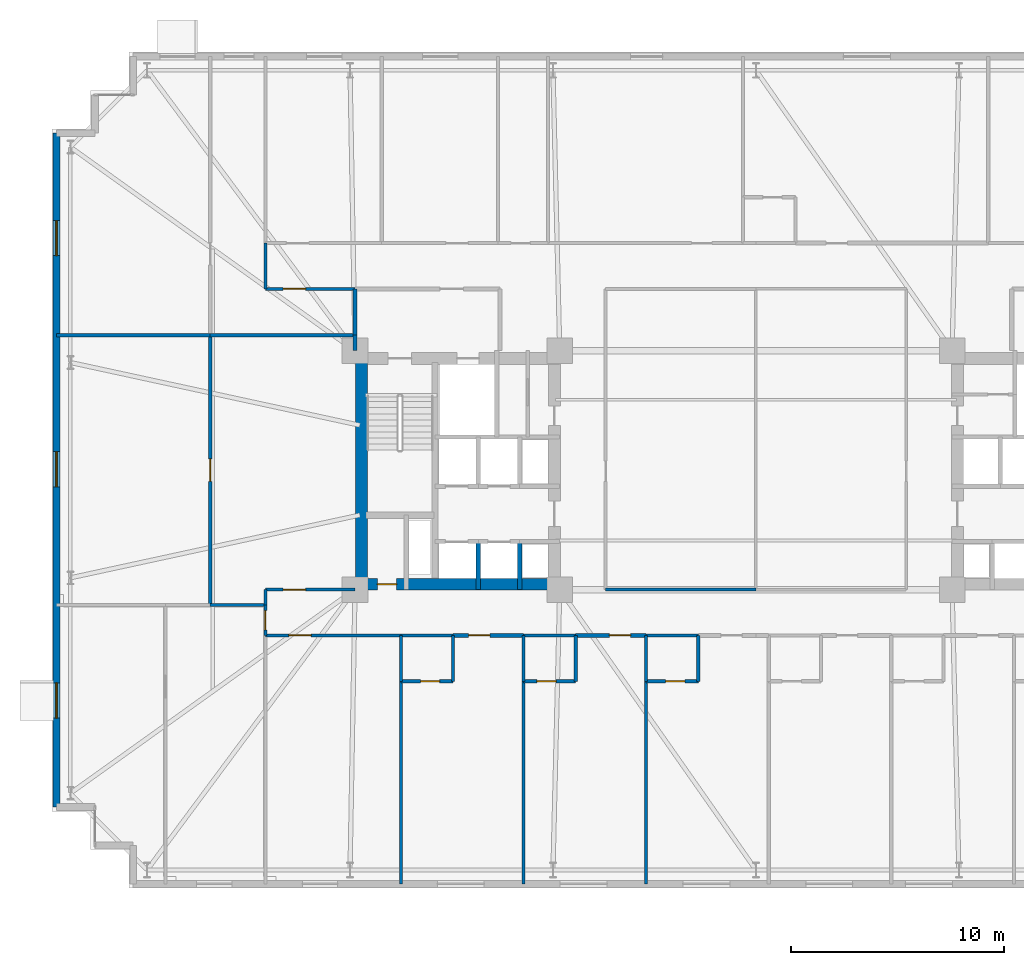
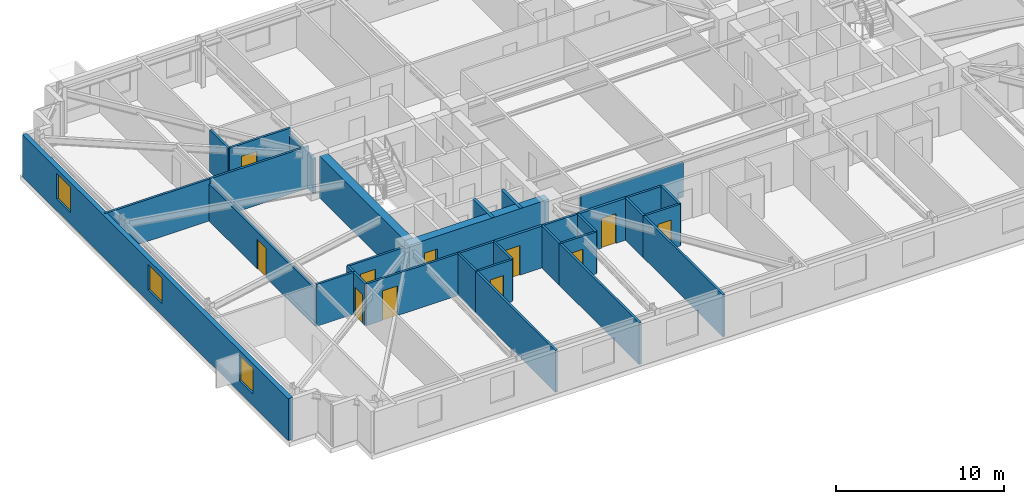
# One storey, part 14 of 20: 35 walls, 11 doors, 3 windows, 14 openings.
"""IFC4 building model written with IfcOpenShell, lengths in metres."""

import ifcopenshell
import ifcopenshell.guid

model = None  # the IFC model being written
_history = None  # IfcOwnerHistory: only IFC2X3 demands one
_inside = {}  # id of a spatial element -> (the spatial element, [elements in it])
_under = {}  # id of a project, library or spatial element -> (it, [spatial elements below it])
_declared = {}  # id of a project -> (the project, [libraries it declares])
_typed = {}  # id of a type object -> (the type object, [elements of that type])
_made_of = {}  # id of a material, layer set ... -> (it, [elements and type objects made of it])


def new_model(schema):
    """Start an empty IFC model of exactly this schema.

    Asked for "IFC4X3", IfcOpenShell would pick the latest addendum, in which some entities
    have other attributes; the version numbers below select the first issue.
    IFC2X3 requires an IfcOwnerHistory on every rooted entity: one is made here for all.
    """
    global model, _history
    if schema == "IFC4X3":
        model = ifcopenshell.file(schema_version=(4, 3, 0, 0))
    else:
        model = ifcopenshell.file(schema=schema)
    _inside.clear()
    _under.clear()
    _declared.clear()
    _typed.clear()
    _made_of.clear()
    _history = None
    if model.schema == "IFC2X3":
        org = make("IfcOrganization", Name="unknown")
        user = make(
            "IfcPersonAndOrganization",
            ThePerson=make("IfcPerson", FamilyName="unknown"),
            TheOrganization=org,
        )
        app = make(
            "IfcApplication",
            ApplicationDeveloper=org,
            Version="unknown",
            ApplicationFullName="unknown",
            ApplicationIdentifier="unknown",
        )
        _history = make(
            "IfcOwnerHistory",
            OwningUser=user,
            OwningApplication=app,
            ChangeAction="ADDED",
            CreationDate=0,
        )
    return model


def make(cls, **values):
    """One entity of the class cls with the attributes given. An attribute that is None is left unset."""
    return model.create_entity(
        cls, **{name: value for name, value in values.items() if value is not None}
    )


def rooted(cls, **values):
    """An entity with a GlobalId (a new one), such as an element, a storey or a relation."""
    return make(cls, GlobalId=ifcopenshell.guid.new(), OwnerHistory=_history, **values)


def si_unit(unit_type, name, prefix=None):
    """IfcSIUnit, for example si_unit("LENGTHUNIT", "METRE", prefix="MILLI")."""
    return make("IfcSIUnit", UnitType=unit_type, Prefix=prefix, Name=name)


def assignment(units):
    """IfcUnitAssignment: the units of a project."""
    return None if units is None else make("IfcUnitAssignment", Units=units)


def point(xyz):
    """IfcCartesianPoint."""
    return None if xyz is None else make("IfcCartesianPoint", Coordinates=xyz)


def direction(xyz):
    """IfcDirection."""
    return None if xyz is None else make("IfcDirection", DirectionRatios=xyz)


def frame(location, z_axis=None, x_axis=None):
    """IfcAxis2Placement3D, a coordinate frame: its origin and axes. An axis left out is left unset."""
    return make(
        "IfcAxis2Placement3D",
        Location=point(location),
        Axis=direction(z_axis),
        RefDirection=direction(x_axis),
    )


def frame_2d(location, x_axis=None):
    """IfcAxis2Placement2D, a coordinate frame in the plane: its origin and x axis."""
    return make(
        "IfcAxis2Placement2D", Location=point(location), RefDirection=direction(x_axis)
    )


def origin():
    """The frame at (0, 0, 0) with its axes left unset."""
    return frame((0.0, 0.0, 0.0))


def place(relative_to, where):
    """IfcLocalPlacement: puts the frame where relative to a parent placement (None: the world)."""
    return make(
        "IfcLocalPlacement", PlacementRelTo=relative_to, RelativePlacement=where
    )


def context(
    kind, dimensions, precision=None, world=None, true_north=None, identifier=None
):
    """IfcGeometricRepresentationContext, for example the 3D "Model" context."""
    return make(
        "IfcGeometricRepresentationContext",
        ContextIdentifier=identifier,
        ContextType=kind,
        CoordinateSpaceDimension=dimensions,
        Precision=precision,
        WorldCoordinateSystem=world,
        TrueNorth=true_north,
    )


def subcontext(parent, identifier, kind, view, scale=None):
    """IfcGeometricRepresentationSubContext, for example "Body" below "Model"."""
    return make(
        "IfcGeometricRepresentationSubContext",
        ContextIdentifier=identifier,
        ContextType=kind,
        ParentContext=parent,
        TargetScale=scale,
        TargetView=view,
    )


def project(units=None, contexts=None):
    """IfcProject with its units and contexts."""
    return rooted(
        "IfcProject",
        Name="project",
        RepresentationContexts=contexts,
        UnitsInContext=assignment(units),
    )


def spatial(cls, under=None, at=None, **own):
    """A site, building, storey or space (cls), placed at a placement, below another one or the project."""
    s = rooted(cls, ObjectPlacement=at, **own)
    if under is not None:
        _under.setdefault(under.id(), (under, []))[1].append(s)
    return s


def profile(cls, at=None, kind="AREA", **sizes):
    """A parametric profile (cls). Its sizes go by their IFC names, for example OverallWidth=200.0."""
    return make(cls, ProfileType=kind, Position=at, **sizes)


def rectangle(**sizes):
    """IfcRectangleProfileDef."""
    return profile("IfcRectangleProfileDef", **sizes)


def extrude(swept, where, along, depth):
    """IfcExtrudedAreaSolid: the profile swept, set in the frame where, extruded along a direction by depth."""
    return make(
        "IfcExtrudedAreaSolid",
        SweptArea=swept,
        Position=where,
        ExtrudedDirection=direction(along),
        Depth=depth,
    )


def shape(context_of_items, identifier, shape_type, items):
    """IfcShapeRepresentation: the items that make up one representation, for example the "Body"."""
    return make(
        "IfcShapeRepresentation",
        ContextOfItems=context_of_items,
        RepresentationIdentifier=identifier,
        RepresentationType=shape_type,
        Items=items,
    )


def material(Name=None, Category=None):
    """IfcMaterial."""
    return make("IfcMaterial", Name=Name, Category=Category)


def layer(
    of_material, thickness, ventilated=None, Name=None, Category=None, Priority=None
):
    """IfcMaterialLayer: one layer of a wall or slab, of a material (None: an air gap)."""
    return make(
        "IfcMaterialLayer",
        Material=of_material,
        LayerThickness=thickness,
        IsVentilated=ventilated,
        Name=Name,
        Category=Category,
        Priority=Priority,
    )


def layer_set(layers, Name=None):
    """IfcMaterialLayerSet."""
    return make("IfcMaterialLayerSet", MaterialLayers=layers, LayerSetName=Name)


def made_of(thing, what):
    """Note that an element or type object is made of a material, layer set ...; save() writes the relation."""
    if what is not None:
        _made_of.setdefault(what.id(), (what, []))[1].append(thing)
    return thing


def type_object(cls, material=None, **own):
    """A type object (cls), such as IfcWallType, which elements share."""
    return made_of(rooted(cls, **own), material)


def element(
    cls,
    number,
    at=None,
    inside=None,
    cuts=None,
    type_object=None,
    material=None,
    context=None,
    identifier="Body",
    shape_type=None,
    held_by="IfcProductDefinitionShape",
    body=None,
    shapes=None,
    **own,
):
    """One element of the class cls, such as IfcWall. Its Tag is "e" and its number.

    at: its placement. inside: the storey or other place that contains it. cuts: it is an
    opening in that element (IfcRelVoidsElement). A single representation is given by context,
    identifier, shape_type and body (its items); several are given by shapes. held_by: the class
    of the entity that holds the representations. save() writes the other relations.
    """
    e = rooted(cls, Tag="e%d" % number, ObjectPlacement=at, **own)
    if body is not None:
        shapes = [shape(context, identifier, shape_type, body)]
    if shapes is not None:
        e.Representation = make(held_by, Representations=shapes)
    if inside is not None:
        _inside.setdefault(inside.id(), (inside, []))[1].append(e)
    if cuts is not None:
        rooted(
            "IfcRelVoidsElement", RelatingBuildingElement=cuts, RelatedOpeningElement=e
        )
    if type_object is not None:
        _typed.setdefault(type_object.id(), (type_object, []))[1].append(e)
    return made_of(e, material)


def fill(opening, filler):
    """IfcRelFillsElement: the door or window that sits in an opening."""
    return rooted(
        "IfcRelFillsElement",
        RelatingOpeningElement=opening,
        RelatedBuildingElement=filler,
    )


def aggregate(whole, parts):
    """IfcRelAggregates: a whole, such as a stair, and the parts it consists of."""
    return rooted("IfcRelAggregates", RelatingObject=whole, RelatedObjects=parts)


def save(model, path):
    """Write the relations noted so far, then the file.

    IfcRelAggregates (storeys below a building ...), IfcRelContainedInSpatialStructure (elements
    in a storey), IfcRelDefinesByType, IfcRelAssociatesMaterial and IfcRelDeclares: one each for
    every whole, place, type object, material and project.
    """
    for whole, parts in _under.values():
        aggregate(whole, parts)
    for where, things in _inside.values():
        rooted(
            "IfcRelContainedInSpatialStructure",
            RelatedElements=things,
            RelatingStructure=where,
        )
    for kind, things in _typed.values():
        rooted("IfcRelDefinesByType", RelatedObjects=things, RelatingType=kind)
    for what, things in _made_of.values():
        rooted("IfcRelAssociatesMaterial", RelatedObjects=things, RelatingMaterial=what)
    for by, libraries in _declared.values():
        rooted("IfcRelDeclares", RelatingContext=by, RelatedDefinitions=libraries)
    model.write(path)


model = new_model("IFC4")

# Units and contexts
model_context = context("Model", 3, precision=1e-05, world=origin(), true_north=direction((0.0, 1.0)))
body_context = subcontext(model_context, "Body", "Model", "MODEL_VIEW")
ifc_project = project(units=[si_unit("LENGTHUNIT", "METRE"), si_unit("AREAUNIT", "SQUARE_METRE"), si_unit("VOLUMEUNIT", "CUBIC_METRE"), si_unit("PLANEANGLEUNIT", "RADIAN"), si_unit("MASSUNIT", "GRAM", prefix="KILO")], contexts=[model_context])

# Site, building, storey
site_placement = place(None, origin())
site = spatial("IfcSite", under=ifc_project, at=site_placement, CompositionType="ELEMENT")
building_placement = place(site_placement, origin())
building = spatial("IfcBuilding", under=site, at=building_placement, Name="Qobustan Lattice House", CompositionType="ELEMENT")
storey_placement = place(building_placement, frame((0.0, 0.0, 67.199951171875)))
storey = spatial("IfcBuildingStorey", under=building, at=storey_placement, Name="L18", CompositionType="ELEMENT", Elevation=67.199951171875)

# Wall, opening, door
ifc_material_1 = material(Name="Concrete C60/75", Category="concrete")
ifc_layer_1 = layer(ifc_material_1, 0.56005859375)
ifc_layer_set_1 = layer_set([ifc_layer_1], Name="Concrete C60/75")
wall_type_1 = type_object("IfcWallType", Name="WAL-CORE-600", PredefinedType="SHEAR", material=ifc_layer_set_1)
wall_1_placement = place(storey_placement, frame((-18.800048828125, -5.35009765625, 0.0), z_axis=(0.0, 0.0, 1.0), x_axis=(1.0, 0.0, 0.0)))
wall_1 = element("IfcWall", 1, at=wall_1_placement, inside=storey, type_object=wall_type_1, Name="L18 split-core shear wall CW-S", PredefinedType="SHEAR", context=body_context, shape_type="SweptSolid", body=[
    extrude(rectangle(XDim=9.60009765625, YDim=0.56005859375, at=frame_2d((4.800048828125, 0.0))), origin(), (0.0, 0.0, 1.0), 3.03515625),
])
opening_1_placement = place(wall_1_placement, frame((1.050048828125, 0.0, 0.0)))
opening_1 = element("IfcOpeningElement", 2, at=opening_1_placement, cuts=wall_1, Name="Opening RD-01", PredefinedType="OPENING", context=body_context, shape_type="SweptSolid", body=[
    extrude(rectangle(XDim=0.89990234375, YDim=2.10009765625, at=frame_2d((0.449951171875, 1.050048828125))), frame((0.0, 0.2900390625, 0.0), z_axis=(0.0, -1.0, 0.0), x_axis=(1.0, 0.0, 0.0)), (0.0, 0.0, 1.0), 0.580078125),
])
ifc_material_2 = material(Name="Persian walnut timber and steel frame door", Category="steel")
door_type_1 = type_object("IfcDoorType", Name="DOR-RISER-FD-900x2100", OperationType="NOTDEFINED", PredefinedType="DOOR", material=ifc_material_2)
door_1_placement = place(opening_1_placement, origin())
door_1 = element("IfcDoor", 3, at=door_1_placement, inside=storey, type_object=door_type_1, Name="L18 core service riser access door W", OperationType="SINGLE_SWING_LEFT", OverallHeight=2.10009765625, OverallWidth=0.89990234375, PredefinedType="DOOR", context=body_context, shape_type="SweptSolid", body=[
    extrude(rectangle(XDim=0.89990234375, YDim=2.10009765625, at=frame_2d((0.449951171875, 1.050048828125))), frame((0.0, 0.02490234375, 0.0), z_axis=(0.0, -1.0, 0.0), x_axis=(1.0, 0.0, 0.0)), (0.0, 0.0, 1.0), 0.050048828125),
])
fill(opening_1, door_1)

# Wall
wall_2_placement = place(storey_placement, frame((-18.489990234375, -5.050048828125, 0.0), z_axis=(0.0, 0.0, 1.0), x_axis=(0.0, 1.0, 0.0)))
element("IfcWall", 4, at=wall_2_placement, inside=storey, type_object=wall_type_1, Name="L18 split-core shear wall CW-W", PredefinedType="SHEAR", context=body_context, shape_type="SweptSolid", body=[
    extrude(rectangle(XDim=10.10009765625, YDim=0.56005859375, at=frame_2d((5.050048828125, 0.0))), origin(), (0.0, 0.0, 1.0), 3.03515625),
])

# Wall, openings, windows
ifc_material_3 = material(Name="Precast concrete C40/50", Category="concrete")
ifc_layer_2 = layer(ifc_material_3, 0.320068359375)
ifc_layer_set_2 = layer_set([ifc_layer_2], Name="Precast concrete C40/50")
wall_type_2 = type_object("IfcWallType", Name="WAL-EXT-STONE-320", PredefinedType="SOLIDWALL", material=ifc_layer_set_2)
wall_3_placement = place(storey_placement, frame((-32.800048828125, -15.800048828125, 0.0), z_axis=(0.0, 0.0, 1.0), x_axis=(0.0, 1.0, 0.0)))
wall_3 = element("IfcWall", 5, at=wall_3_placement, inside=storey, type_object=wall_type_2, Name="L18 exterior limestone-clad wall 5", PredefinedType="SOLIDWALL", context=body_context, shape_type="SweptSolid", body=[
    extrude(rectangle(XDim=31.60009765625, YDim=0.320068359375, at=frame_2d((15.800048828125, 0.0))), origin(), (0.0, 0.0, 1.0), 3.03515625),
])
opening_2_placement = place(wall_3_placement, frame((4.175048828125, 0.0, 0.85009765625)))
opening_2 = element("IfcOpeningElement", 6, at=opening_2_placement, cuts=wall_3, Name="Opening WN-09", PredefinedType="OPENING", context=body_context, shape_type="SweptSolid", body=[
    extrude(rectangle(XDim=1.64990234375, YDim=1.85009765625, at=frame_2d((0.824951171875, 0.925048828125))), frame((0.0, 0.169921875, 0.0), z_axis=(0.0, -1.0, 0.0), x_axis=(1.0, 0.0, 0.0)), (0.0, 0.0, 1.0), 0.340087890625),
])
opening_3_placement = place(wall_3_placement, frame((15.014892578125, 0.0, 0.85009765625)))
opening_3 = element("IfcOpeningElement", 7, at=opening_3_placement, cuts=wall_3, Name="Opening WN-09", PredefinedType="OPENING", context=body_context, shape_type="SweptSolid", body=[
    extrude(rectangle(XDim=1.64990234375, YDim=1.85009765625, at=frame_2d((0.824951171875, 0.925048828125))), frame((0.0, 0.169921875, 0.0), z_axis=(0.0, -1.0, 0.0), x_axis=(1.0, 0.0, 0.0)), (0.0, 0.0, 1.0), 0.340087890625),
])
opening_4_placement = place(wall_3_placement, frame((25.85498046875, 0.0, 0.85009765625)))
opening_4 = element("IfcOpeningElement", 8, at=opening_4_placement, cuts=wall_3, Name="Opening WN-09", PredefinedType="OPENING", context=body_context, shape_type="SweptSolid", body=[
    extrude(rectangle(XDim=1.64990234375, YDim=1.85009765625, at=frame_2d((0.824951171875, 0.925048828125))), frame((0.0, 0.169921875, 0.0), z_axis=(0.0, -1.0, 0.0), x_axis=(1.0, 0.0, 0.0)), (0.0, 0.0, 1.0), 0.340087890625),
])
ifc_material_4 = material(Name="Double-glazed low-E aluminium window", Category="aluminium")
window_type = type_object("IfcWindowType", Name="WIN-STU-1650x1850", PartitioningType="SINGLE_PANEL", PredefinedType="WINDOW", material=ifc_material_4)
window_1_placement = place(opening_2_placement, origin())
window_1 = element("IfcWindow", 9, at=window_1_placement, inside=storey, type_object=window_type, Name="L18 Focus study room W1A window", OverallHeight=1.85009765625, OverallWidth=1.64990234375, PartitioningType="SINGLE_PANEL", PredefinedType="WINDOW", context=body_context, shape_type="SweptSolid", body=[
    extrude(rectangle(XDim=1.64990234375, YDim=1.85009765625, at=frame_2d((0.824951171875, 0.925048828125))), frame((0.0, 0.030029296875, 0.0), z_axis=(0.0, -1.0, 0.0), x_axis=(1.0, 0.0, 0.0)), (0.0, 0.0, 1.0), 0.06005859375),
])
fill(opening_2, window_1)
window_2_placement = place(opening_3_placement, origin())
window_2 = element("IfcWindow", 10, at=window_2_placement, inside=storey, type_object=window_type, Name="L18 Focus study room W2A window", OverallHeight=1.85009765625, OverallWidth=1.64990234375, PartitioningType="SINGLE_PANEL", PredefinedType="WINDOW", context=body_context, shape_type="SweptSolid", body=[
    extrude(rectangle(XDim=1.64990234375, YDim=1.85009765625, at=frame_2d((0.824951171875, 0.925048828125))), frame((0.0, 0.030029296875, 0.0), z_axis=(0.0, -1.0, 0.0), x_axis=(1.0, 0.0, 0.0)), (0.0, 0.0, 1.0), 0.06005859375),
])
fill(opening_3, window_2)
window_3_placement = place(opening_4_placement, origin())
window_3 = element("IfcWindow", 11, at=window_3_placement, inside=storey, type_object=window_type, Name="L18 Focus study room W3A window", OverallHeight=1.85009765625, OverallWidth=1.64990234375, PartitioningType="SINGLE_PANEL", PredefinedType="WINDOW", context=body_context, shape_type="SweptSolid", body=[
    extrude(rectangle(XDim=1.64990234375, YDim=1.85009765625, at=frame_2d((0.824951171875, 0.925048828125))), frame((0.0, 0.030029296875, 0.0), z_axis=(0.0, -1.0, 0.0), x_axis=(1.0, 0.0, 0.0)), (0.0, 0.0, 1.0), 0.06005859375),
])
fill(opening_4, window_3)

# Wall, opening, door
ifc_material_5 = material(Name="Gypsum fireboard acoustic partition", Category="gypsum")
ifc_layer_3 = layer(ifc_material_5, 0.179931640625)
ifc_layer_set_3 = layer_set([ifc_layer_3], Name="Gypsum fireboard acoustic partition")
wall_type_3 = type_object("IfcWallType", Name="WAL-FIRE-180", PredefinedType="PARTITIONING", material=ifc_layer_set_3)
wall_4_placement = place(storey_placement, frame((-10.89990234375, -7.75, 0.0), z_axis=(0.0, 0.0, 1.0), x_axis=(-1.0, 0.0, 0.0)))
wall_4 = element("IfcWall", 12, at=wall_4_placement, inside=storey, type_object=wall_type_3, Name="L18 interior partition 58", PredefinedType="PARTITIONING", context=body_context, shape_type="SweptSolid", body=[
    extrude(rectangle(XDim=3.300048828125, YDim=0.179931640625, at=frame_2d((1.64990234375, 0.0))), origin(), (0.0, 0.0, 1.0), 3.03515625),
])
opening_5_placement = place(wall_4_placement, frame((1.577392578125, 0.0, 0.0)))
opening_5 = element("IfcOpeningElement", 13, at=opening_5_placement, cuts=wall_4, Name="Opening FD-02", PredefinedType="OPENING", context=body_context, shape_type="SweptSolid", body=[
    extrude(rectangle(XDim=1.0, YDim=2.14990234375, at=frame_2d((0.5, 1.074951171875))), frame((0.0, 0.099853515625, 0.0), z_axis=(0.0, -1.0, 0.0), x_axis=(1.0, 0.0, 0.0)), (0.0, 0.0, 1.0), 0.199951171875),
])
ifc_material_6 = material(Name="Persian walnut timber and steel frame door", Category="steel")
door_type_2 = type_object("IfcDoorType", Name="DOR-UNIT-FD-1000x2150", OperationType="NOTDEFINED", PredefinedType="DOOR", material=ifc_material_6)
door_2_placement = place(opening_5_placement, origin())
door_2 = element("IfcDoor", 14, at=door_2_placement, inside=storey, type_object=door_type_2, Name="L18 South-west floor corridor to Kitchenette and studio apartment L18-S2 door", OperationType="SINGLE_SWING_LEFT", OverallHeight=2.14990234375, OverallWidth=1.0, PredefinedType="DOOR", context=body_context, shape_type="SweptSolid", body=[
    extrude(rectangle(XDim=1.0, YDim=2.14990234375, at=frame_2d((0.5, 1.074951171875))), frame((0.0, 0.02490234375, 0.0), z_axis=(0.0, -1.0, 0.0), x_axis=(1.0, 0.0, 0.0)), (0.0, 0.0, 1.0), 0.050048828125),
])
fill(opening_5, door_2)

wall_5_placement = place(storey_placement, frame((-5.14990234375, -7.75, 0.0), z_axis=(0.0, 0.0, 1.0), x_axis=(-1.0, 0.0, 0.0)))
wall_5 = element("IfcWall", 15, at=wall_5_placement, inside=storey, type_object=wall_type_3, Name="L18 interior partition 60", PredefinedType="PARTITIONING", context=body_context, shape_type="SweptSolid", body=[
    extrude(rectangle(XDim=3.300048828125, YDim=0.179931640625, at=frame_2d((1.64990234375, 0.0))), origin(), (0.0, 0.0, 1.0), 3.03515625),
])
opening_6_placement = place(wall_5_placement, frame((0.722412109375, 0.0, 0.0)))
opening_6 = element("IfcOpeningElement", 16, at=opening_6_placement, cuts=wall_5, Name="Opening FD-02", PredefinedType="OPENING", context=body_context, shape_type="SweptSolid", body=[
    extrude(rectangle(XDim=1.0, YDim=2.14990234375, at=frame_2d((0.5, 1.074951171875))), frame((0.0, 0.099853515625, 0.0), z_axis=(0.0, -1.0, 0.0), x_axis=(1.0, 0.0, 0.0)), (0.0, 0.0, 1.0), 0.199951171875),
])
door_3_placement = place(opening_6_placement, origin())
door_3 = element("IfcDoor", 17, at=door_3_placement, inside=storey, type_object=door_type_2, Name="L18 South-west floor corridor to Kitchenette and studio apartment L18-S3 door", OperationType="SINGLE_SWING_RIGHT", OverallHeight=2.14990234375, OverallWidth=1.0, PredefinedType="DOOR", context=body_context, shape_type="SweptSolid", body=[
    extrude(rectangle(XDim=1.0, YDim=2.14990234375, at=frame_2d((0.5, 1.074951171875))), frame((0.0, 0.02490234375, 0.0), z_axis=(0.0, -1.0, 0.0), x_axis=(1.0, 0.0, 0.0)), (0.0, 0.0, 1.0), 0.050048828125),
])
fill(opening_6, door_3)

ifc_material_7 = material(Name="Acoustic twin-stud gypsum partition", Category="gypsum")
ifc_layer_4 = layer(ifc_material_7, 0.14990234375)
ifc_layer_set_4 = layer_set([ifc_layer_4], Name="Acoustic twin-stud gypsum partition")
wall_type_4 = type_object("IfcWallType", Name="WAL-PART-150", PredefinedType="PARTITIONING", material=ifc_layer_set_4)
wall_6_placement = place(storey_placement, frame((-18.800048828125, 8.5, 0.0), z_axis=(0.0, 0.0, 1.0), x_axis=(-1.0, 0.0, 0.0)))
wall_6 = element("IfcWall", 18, at=wall_6_placement, inside=storey, type_object=wall_type_4, Name="L18 interior partition 39", PredefinedType="PARTITIONING", context=body_context, shape_type="SweptSolid", body=[
    extrude(rectangle(XDim=4.199951171875, YDim=0.14990234375, at=frame_2d((2.10009765625, 0.0))), origin(), (0.0, 0.0, 1.0), 3.03515625),
])
opening_7_placement = place(wall_6_placement, frame((2.3212890625, 0.0, 0.0)))
opening_7 = element("IfcOpeningElement", 19, at=opening_7_placement, cuts=wall_6, Name="Opening ID-02", PredefinedType="OPENING", context=body_context, shape_type="SweptSolid", body=[
    extrude(rectangle(XDim=1.050048828125, YDim=2.14990234375, at=frame_2d((0.52490234375, 1.074951171875))), frame((0.0, 0.0849609375, 0.0), z_axis=(0.0, -1.0, 0.0), x_axis=(1.0, 0.0, 0.0)), (0.0, 0.0, 1.0), 0.169921875),
])
ifc_material_8 = material(Name="Persian walnut timber and steel frame door", Category="steel")
door_type_3 = type_object("IfcDoorType", Name="DOR-STUDY-1050x2150", OperationType="NOTDEFINED", PredefinedType="DOOR", material=ifc_material_8)
door_4_placement = place(opening_7_placement, origin())
door_4 = element("IfcDoor", 20, at=door_4_placement, inside=storey, type_object=door_type_3, Name="L18 North-west floor corridor to Focus study room W3B door", OperationType="SINGLE_SWING_LEFT", OverallHeight=2.14990234375, OverallWidth=1.050048828125, PredefinedType="DOOR", context=body_context, shape_type="SweptSolid", body=[
    extrude(rectangle(XDim=1.050048828125, YDim=2.14990234375, at=frame_2d((0.52490234375, 1.074951171875))), frame((0.0, 0.02490234375, 0.0), z_axis=(0.0, -1.0, 0.0), x_axis=(1.0, 0.0, 0.0)), (0.0, 0.0, 1.0), 0.050048828125),
])
fill(opening_7, door_4)

# Wall
wall_7_placement = place(storey_placement, frame((-23.0, 8.5, 0.0), z_axis=(0.0, 0.0, 1.0), x_axis=(0.0, 1.0, 0.0)))
element("IfcWall", 21, at=wall_7_placement, inside=storey, type_object=wall_type_4, Name="L18 interior partition 40", PredefinedType="PARTITIONING", context=body_context, shape_type="SweptSolid", body=[
    extrude(rectangle(XDim=2.14990234375, YDim=0.14990234375, at=frame_2d((1.074951171875, 0.0))), origin(), (0.0, 0.0, 1.0), 3.03515625),
])

# Wall, opening, door
wall_8_placement = place(storey_placement, frame((-23.0, -7.75, 0.0), z_axis=(0.0, 0.0, 1.0), x_axis=(0.0, 1.0, 0.0)))
wall_8 = element("IfcWall", 22, at=wall_8_placement, inside=storey, type_object=wall_type_4, Name="L18 interior partition 54", PredefinedType="PARTITIONING", context=body_context, shape_type="SweptSolid", body=[
    extrude(rectangle(XDim=1.423095703125, YDim=0.14990234375, at=frame_2d((0.71142578125, 0.0))), origin(), (0.0, 0.0, 1.0), 3.03515625),
])
opening_8_placement = place(wall_8_placement, frame((0.261474609375, 0.0, 0.0)))
opening_8 = element("IfcOpeningElement", 23, at=opening_8_placement, cuts=wall_8, Name="Opening WD-01", PredefinedType="OPENING", context=body_context, shape_type="SweptSolid", body=[
    extrude(rectangle(XDim=0.89990234375, YDim=2.10009765625, at=frame_2d((0.449951171875, 1.050048828125))), frame((0.0, 0.0849609375, 0.0), z_axis=(0.0, -1.0, 0.0), x_axis=(1.0, 0.0, 0.0)), (0.0, 0.0, 1.0), 0.169921875),
])
ifc_material_9 = material(Name="Persian walnut timber and steel frame door", Category="steel")
door_type_4 = type_object("IfcDoorType", Name="DOR-WET-900x2100", OperationType="NOTDEFINED", PredefinedType="DOOR", material=ifc_material_9)
door_5_placement = place(opening_8_placement, origin())
door_5 = element("IfcDoor", 24, at=door_5_placement, inside=storey, type_object=door_type_4, Name="L18 South-west floor corridor to Focus study room W1B door", OperationType="SINGLE_SWING_RIGHT", OverallHeight=2.10009765625, OverallWidth=0.89990234375, PredefinedType="DOOR", context=body_context, shape_type="SweptSolid", body=[
    extrude(rectangle(XDim=0.89990234375, YDim=2.10009765625, at=frame_2d((0.449951171875, 1.050048828125))), frame((0.0, 0.02490234375, 0.0), z_axis=(0.0, -1.0, 0.0), x_axis=(1.0, 0.0, 0.0)), (0.0, 0.0, 1.0), 0.050048828125),
])
fill(opening_8, door_5)

wall_9_placement = place(storey_placement, frame((-23.0, -5.60009765625, 0.0), z_axis=(0.0, 0.0, 1.0), x_axis=(1.0, 0.0, 0.0)))
wall_9 = element("IfcWall", 25, at=wall_9_placement, inside=storey, type_object=wall_type_4, Name="L18 interior partition 55", PredefinedType="PARTITIONING", context=body_context, shape_type="SweptSolid", body=[
    extrude(rectangle(XDim=4.199951171875, YDim=0.14990234375, at=frame_2d((2.10009765625, 0.0))), origin(), (0.0, 0.0, 1.0), 3.03515625),
])
opening_9_placement = place(wall_9_placement, frame((0.82861328125, 0.0, 0.0)))
opening_9 = element("IfcOpeningElement", 26, at=opening_9_placement, cuts=wall_9, Name="Opening ID-02", PredefinedType="OPENING", context=body_context, shape_type="SweptSolid", body=[
    extrude(rectangle(XDim=1.050048828125, YDim=2.14990234375, at=frame_2d((0.52490234375, 1.074951171875))), frame((0.0, 0.0849609375, 0.0), z_axis=(0.0, -1.0, 0.0), x_axis=(1.0, 0.0, 0.0)), (0.0, 0.0, 1.0), 0.169921875),
])
door_6_placement = place(opening_9_placement, origin())
door_6 = element("IfcDoor", 27, at=door_6_placement, inside=storey, type_object=door_type_3, Name="L18 South-west floor corridor to Focus study room W2B door", OperationType="SINGLE_SWING_LEFT", OverallHeight=2.14990234375, OverallWidth=1.050048828125, PredefinedType="DOOR", context=body_context, shape_type="SweptSolid", body=[
    extrude(rectangle(XDim=1.050048828125, YDim=2.14990234375, at=frame_2d((0.52490234375, 1.074951171875))), frame((0.0, 0.02490234375, 0.0), z_axis=(0.0, -1.0, 0.0), x_axis=(1.0, 0.0, 0.0)), (0.0, 0.0, 1.0), 0.050048828125),
])
fill(opening_9, door_6)

# Wall
wall_10_placement = place(storey_placement, frame((-23.0, -6.326904296875, 0.0), z_axis=(0.0, 0.0, 1.0), x_axis=(0.0, 1.0, 0.0)))
element("IfcWall", 28, at=wall_10_placement, inside=storey, type_object=wall_type_4, Name="L18 interior partition 56", PredefinedType="PARTITIONING", context=body_context, shape_type="SweptSolid", body=[
    extrude(rectangle(XDim=0.726806640625, YDim=0.14990234375, at=frame_2d((0.36328125, 0.0))), origin(), (0.0, 0.0, 1.0), 3.03515625),
])

# Wall, opening, door
wall_11_placement = place(storey_placement, frame((-16.64990234375, -7.75, 0.0), z_axis=(0.0, 0.0, 1.0), x_axis=(-1.0, 0.0, 0.0)))
wall_11 = element("IfcWall", 29, at=wall_11_placement, inside=storey, type_object=wall_type_4, Name="L18 interior partition 57", PredefinedType="PARTITIONING", context=body_context, shape_type="SweptSolid", body=[
    extrude(rectangle(XDim=6.35009765625, YDim=0.14990234375, at=frame_2d((3.175048828125, 0.0))), origin(), (0.0, 0.0, 1.0), 3.03515625),
])
opening_10_placement = place(wall_11_placement, frame((4.202392578125, 0.0, 0.0)))
opening_10 = element("IfcOpeningElement", 30, at=opening_10_placement, cuts=wall_11, Name="Opening ID-02", PredefinedType="OPENING", context=body_context, shape_type="SweptSolid", body=[
    extrude(rectangle(XDim=1.050048828125, YDim=2.14990234375, at=frame_2d((0.52490234375, 1.074951171875))), frame((0.0, 0.0849609375, 0.0), z_axis=(0.0, -1.0, 0.0), x_axis=(1.0, 0.0, 0.0)), (0.0, 0.0, 1.0), 0.169921875),
])
door_7_placement = place(opening_10_placement, origin())
door_7 = element("IfcDoor", 31, at=door_7_placement, inside=storey, type_object=door_type_3, Name="L18 South-west floor corridor to Focus study room S1 door", OperationType="SINGLE_SWING_RIGHT", OverallHeight=2.14990234375, OverallWidth=1.050048828125, PredefinedType="DOOR", context=body_context, shape_type="SweptSolid", body=[
    extrude(rectangle(XDim=1.050048828125, YDim=2.14990234375, at=frame_2d((0.52490234375, 1.074951171875))), frame((0.0, 0.02490234375, 0.0), z_axis=(0.0, -1.0, 0.0), x_axis=(1.0, 0.0, 0.0)), (0.0, 0.0, 1.0), 0.050048828125),
])
fill(opening_10, door_7)

# Walls
wall_12_placement = place(storey_placement, frame((-7.050048828125, -5.60009765625, 0.0), z_axis=(0.0, 0.0, 1.0), x_axis=(1.0, 0.0, 0.0)))
element("IfcWall", 32, at=wall_12_placement, inside=storey, type_object=wall_type_4, Name="L18 interior partition 64", PredefinedType="PARTITIONING", context=body_context, shape_type="SweptSolid", body=[
    extrude(rectangle(XDim=7.050048828125, YDim=0.14990234375, at=frame_2d((3.52490234375, 0.0))), origin(), (0.0, 0.0, 1.0), 2.52001953125),
])
wall_13_placement = place(storey_placement, frame((-25.590087890625, -6.326904296875, 0.0), z_axis=(0.0, 0.0, 1.0), x_axis=(1.0, 0.0, 0.0)))
element("IfcWall", 33, at=wall_13_placement, inside=storey, type_object=wall_type_4, Name="L18 interior partition 81", PredefinedType="PARTITIONING", context=body_context, shape_type="SweptSolid", body=[
    extrude(rectangle(XDim=2.590087890625, YDim=0.14990234375, at=frame_2d((1.294921875, 0.0))), origin(), (0.0, 0.0, 1.0), 3.03515625),
])

# Wall, opening, door
wall_14_placement = place(storey_placement, frame((-25.590087890625, 6.326904296875, 0.0), z_axis=(0.0, 0.0, 1.0), x_axis=(0.0, -1.0, 0.0)))
wall_14 = element("IfcWall", 34, at=wall_14_placement, inside=storey, type_object=wall_type_4, Name="L18 interior partition 83", PredefinedType="PARTITIONING", context=body_context, shape_type="SweptSolid", body=[
    extrude(rectangle(XDim=12.65380859375, YDim=0.14990234375, at=frame_2d((6.326904296875, 0.0))), origin(), (0.0, 0.0, 1.0), 2.68994140625),
])
opening_11_placement = place(wall_14_placement, frame((5.802001953125, 0.0, 0.0)))
opening_11 = element("IfcOpeningElement", 35, at=opening_11_placement, cuts=wall_14, Name="Opening ID-02", PredefinedType="OPENING", context=body_context, shape_type="SweptSolid", body=[
    extrude(rectangle(XDim=1.050048828125, YDim=2.14990234375, at=frame_2d((0.52490234375, 1.074951171875))), frame((0.0, 0.0849609375, 0.0), z_axis=(0.0, -1.0, 0.0), x_axis=(1.0, 0.0, 0.0)), (0.0, 0.0, 1.0), 0.169921875),
])
door_8_placement = place(opening_11_placement, origin())
door_8 = element("IfcDoor", 36, at=door_8_placement, inside=storey, type_object=door_type_3, Name="L18 Focus study room W2A to Focus study room W2B door", OperationType="SINGLE_SWING_RIGHT", OverallHeight=2.14990234375, OverallWidth=1.050048828125, PredefinedType="DOOR", context=body_context, shape_type="SweptSolid", body=[
    extrude(rectangle(XDim=1.050048828125, YDim=2.14990234375, at=frame_2d((0.52490234375, 1.074951171875))), frame((0.0, 0.02490234375, 0.0), z_axis=(0.0, -1.0, 0.0), x_axis=(1.0, 0.0, 0.0)), (0.0, 0.0, 1.0), 0.050048828125),
])
fill(opening_11, door_8)

# Walls
wall_15_placement = place(storey_placement, frame((-32.800048828125, 6.326904296875, 0.0), z_axis=(0.0, 0.0, 1.0), x_axis=(1.0, 0.0, 0.0)))
element("IfcWall", 37, at=wall_15_placement, inside=storey, type_object=wall_type_4, Name="L18 interior partition 84", PredefinedType="PARTITIONING", context=body_context, shape_type="SweptSolid", body=[
    extrude(rectangle(XDim=7.2099609375, YDim=0.14990234375, at=frame_2d((3.60498046875, 0.0))), origin(), (0.0, 0.0, 1.0), 3.03515625),
])
wall_16_placement = place(storey_placement, frame((-25.590087890625, 6.326904296875, 0.0), z_axis=(0.0, 0.0, 1.0), x_axis=(1.0, 0.0, 0.0)))
element("IfcWall", 38, at=wall_16_placement, inside=storey, type_object=wall_type_4, Name="L18 interior partition 85", PredefinedType="PARTITIONING", context=body_context, shape_type="SweptSolid", body=[
    extrude(rectangle(XDim=6.7900390625, YDim=0.14990234375, at=frame_2d((3.39501953125, 0.0))), origin(), (0.0, 0.0, 1.0), 3.03515625),
])
for number, where, z_axis, x_axis, name in (
    (39, (-16.64990234375, -9.89990234375, 0.0), (0.0, 0.0, 1.0), (0.0, -1.0, 0.0), "L18 interior partition 100"),
    (40, (-10.89990234375, -9.89990234375, 0.0), (0.0, 0.0, 1.0), (0.0, -1.0, 0.0), "L18 interior partition 104"),
    (41, (-5.14990234375, -9.89990234375, 0.0), (0.0, 0.0, 1.0), (0.0, -1.0, 0.0), "L18 interior partition 108"),
):
    element("IfcWall", number, at=place(storey_placement, frame(where, z_axis=z_axis, x_axis=x_axis)), inside=storey, type_object=wall_type_4, Name=name, PredefinedType="PARTITIONING", context=body_context, shape_type="SweptSolid", body=[
        extrude(rectangle(XDim=9.5, YDim=0.14990234375, at=frame_2d((4.75, 0.0))), origin(), (0.0, 0.0, 1.0), 3.03515625),
    ])
ifc_material_10 = material(Name="Two-hour gypsum fireboard acoustic partition", Category="gypsum")
ifc_layer_5 = layer(ifc_material_10, 0.199951171875)
ifc_layer_set_5 = layer_set([ifc_layer_5], Name="Two-hour gypsum fireboard acoustic partition")
wall_type_5 = type_object("IfcWallType", Name="WAL-PROT-200", PredefinedType="PARTITIONING", material=ifc_layer_set_5)
wall_17_placement = place(storey_placement, frame((-18.800048828125, 6.326904296875, 0.0), z_axis=(0.0, 0.0, 1.0), x_axis=(0.0, -1.0, 0.0)))
element("IfcWall", 42, at=wall_17_placement, inside=storey, type_object=wall_type_5, Name="L18 interior partition 5", PredefinedType="PARTITIONING", context=body_context, shape_type="SweptSolid", body=[
    extrude(rectangle(XDim=0.726806640625, YDim=0.199951171875, at=frame_2d((0.36328125, 0.0))), origin(), (0.0, 0.0, 1.0), 2.52001953125),
])
wall_18_placement = place(storey_placement, frame((-18.800048828125, 8.5, 0.0), z_axis=(0.0, 0.0, 1.0), x_axis=(0.0, -1.0, 0.0)))
element("IfcWall", 43, at=wall_18_placement, inside=storey, type_object=wall_type_5, Name="L18 interior partition 6", PredefinedType="PARTITIONING", context=body_context, shape_type="SweptSolid", body=[
    extrude(rectangle(XDim=2.173095703125, YDim=0.199951171875, at=frame_2d((1.08642578125, 0.0))), origin(), (0.0, 0.0, 1.0), 2.52001953125),
])
ifc_material_11 = material(Name="Concrete C40/50", Category="concrete")
ifc_layer_6 = layer(ifc_material_11, 0.199951171875)
ifc_layer_set_6 = layer_set([ifc_layer_6], Name="Concrete C40/50")
wall_type_6 = type_object("IfcWallType", Name="WAL-SHAFT-200", PredefinedType="PARTITIONING", material=ifc_layer_set_6)
for number, where, z_axis, x_axis, name in (
    (44, (-13.02001953125, -5.60009765625, 0.0), (0.0, 0.0, 1.0), (0.0, 1.0, 0.0), "L18 interior partition 16"),
    (45, (-11.080078125, -5.60009765625, 0.0), (0.0, 0.0, 1.0), (0.0, 1.0, 0.0), "L18 interior partition 17"),
):
    element("IfcWall", number, at=place(storey_placement, frame(where, z_axis=z_axis, x_axis=x_axis)), inside=storey, type_object=wall_type_6, Name=name, PredefinedType="PARTITIONING", context=body_context, shape_type="SweptSolid", body=[
        extrude(rectangle(XDim=2.25, YDim=0.199951171875, at=frame_2d((1.125, 0.0))), origin(), (0.0, 0.0, 1.0), 3.03515625),
    ])
ifc_material_12 = material(Name="Moisture-resistant acoustic plumbing wall", Category="gypsum")
ifc_layer_7 = layer(ifc_material_12, 0.14990234375)
ifc_layer_set_7 = layer_set([ifc_layer_7], Name="Moisture-resistant acoustic plumbing wall")
wall_type_7 = type_object("IfcWallType", Name="WAL-WET-150", PredefinedType="PLUMBINGWALL", material=ifc_layer_set_7)
for number, where, z_axis, x_axis, name in (
    (46, (-14.199951171875, -7.75, 0.0), (0.0, 0.0, 1.0), (-1.0, 0.0, 0.0), "L18 interior partition 59"),
    (47, (-8.449951171875, -7.75, 0.0), (0.0, 0.0, 1.0), (-1.0, 0.0, 0.0), "L18 interior partition 61"),
    (48, (-2.699951171875, -7.75, 0.0), (0.0, 0.0, 1.0), (-1.0, 0.0, 0.0), "L18 interior partition 63"),
):
    element("IfcWall", number, at=place(storey_placement, frame(where, z_axis=z_axis, x_axis=x_axis)), inside=storey, type_object=wall_type_7, Name=name, PredefinedType="PLUMBINGWALL", context=body_context, shape_type="SweptSolid", body=[
        extrude(rectangle(XDim=2.449951171875, YDim=0.14990234375, at=frame_2d((1.22509765625, 0.0))), origin(), (0.0, 0.0, 1.0), 3.03515625),
    ])
wall_19_placement = place(storey_placement, frame((-16.64990234375, -7.75, 0.0), z_axis=(0.0, 0.0, 1.0), x_axis=(0.0, -1.0, 0.0)))
element("IfcWall", 49, at=wall_19_placement, inside=storey, type_object=wall_type_7, Name="L18 interior partition 101", PredefinedType="PLUMBINGWALL", context=body_context, shape_type="SweptSolid", body=[
    extrude(rectangle(XDim=2.14990234375, YDim=0.14990234375, at=frame_2d((1.074951171875, 0.0))), origin(), (0.0, 0.0, 1.0), 3.03515625),
])

# Wall, opening, door
wall_20_placement = place(storey_placement, frame((-16.64990234375, -9.89990234375, 0.0), z_axis=(0.0, 0.0, 1.0), x_axis=(1.0, 0.0, 0.0)))
wall_20 = element("IfcWall", 50, at=wall_20_placement, inside=storey, type_object=wall_type_7, Name="L18 interior partition 102", PredefinedType="PLUMBINGWALL", context=body_context, shape_type="SweptSolid", body=[
    extrude(rectangle(XDim=2.449951171875, YDim=0.14990234375, at=frame_2d((1.22509765625, 0.0))), origin(), (0.0, 0.0, 1.0), 3.03515625),
])
opening_12_placement = place(wall_20_placement, frame((0.921142578125, 0.0, 0.0)))
opening_12 = element("IfcOpeningElement", 51, at=opening_12_placement, cuts=wall_20, Name="Opening WD-01", PredefinedType="OPENING", context=body_context, shape_type="SweptSolid", body=[
    extrude(rectangle(XDim=0.89990234375, YDim=2.10009765625, at=frame_2d((0.449951171875, 1.050048828125))), frame((0.0, 0.0849609375, 0.0), z_axis=(0.0, -1.0, 0.0), x_axis=(1.0, 0.0, 0.0)), (0.0, 0.0, 1.0), 0.169921875),
])
door_9_placement = place(opening_12_placement, origin())
door_9 = element("IfcDoor", 52, at=door_9_placement, inside=storey, type_object=door_type_4, Name="L18 Kitchenette and studio apartment L18-S2 to En-suite bathroom L18-S2 door", OperationType="SINGLE_SWING_LEFT", OverallHeight=2.10009765625, OverallWidth=0.89990234375, PredefinedType="DOOR", context=body_context, shape_type="SweptSolid", body=[
    extrude(rectangle(XDim=0.89990234375, YDim=2.10009765625, at=frame_2d((0.449951171875, 1.050048828125))), frame((0.0, 0.02490234375, 0.0), z_axis=(0.0, -1.0, 0.0), x_axis=(1.0, 0.0, 0.0)), (0.0, 0.0, 1.0), 0.050048828125),
])
fill(opening_12, door_9)

# Walls
for number, where, z_axis, x_axis, name in (
    (53, (-14.199951171875, -9.89990234375, 0.0), (0.0, 0.0, 1.0), (0.0, 1.0, 0.0), "L18 interior partition 103"),
    (54, (-10.89990234375, -7.75, 0.0), (0.0, 0.0, 1.0), (0.0, -1.0, 0.0), "L18 interior partition 105"),
):
    element("IfcWall", number, at=place(storey_placement, frame(where, z_axis=z_axis, x_axis=x_axis)), inside=storey, type_object=wall_type_7, Name=name, PredefinedType="PLUMBINGWALL", context=body_context, shape_type="SweptSolid", body=[
        extrude(rectangle(XDim=2.14990234375, YDim=0.14990234375, at=frame_2d((1.074951171875, 0.0))), origin(), (0.0, 0.0, 1.0), 3.03515625),
    ])

# Wall, opening, door
wall_21_placement = place(storey_placement, frame((-10.89990234375, -9.89990234375, 0.0), z_axis=(0.0, 0.0, 1.0), x_axis=(1.0, 0.0, 0.0)))
wall_21 = element("IfcWall", 55, at=wall_21_placement, inside=storey, type_object=wall_type_7, Name="L18 interior partition 106", PredefinedType="PLUMBINGWALL", context=body_context, shape_type="SweptSolid", body=[
    extrude(rectangle(XDim=2.449951171875, YDim=0.14990234375, at=frame_2d((1.22509765625, 0.0))), origin(), (0.0, 0.0, 1.0), 3.03515625),
])
opening_13_placement = place(wall_21_placement, frame((0.62890625, 0.0, 0.0)))
opening_13 = element("IfcOpeningElement", 56, at=opening_13_placement, cuts=wall_21, Name="Opening WD-01", PredefinedType="OPENING", context=body_context, shape_type="SweptSolid", body=[
    extrude(rectangle(XDim=0.89990234375, YDim=2.10009765625, at=frame_2d((0.449951171875, 1.050048828125))), frame((0.0, 0.0849609375, 0.0), z_axis=(0.0, -1.0, 0.0), x_axis=(1.0, 0.0, 0.0)), (0.0, 0.0, 1.0), 0.169921875),
])
door_10_placement = place(opening_13_placement, origin())
door_10 = element("IfcDoor", 57, at=door_10_placement, inside=storey, type_object=door_type_4, Name="L18 Kitchenette and studio apartment L18-S3 to En-suite bathroom L18-S3 door", OperationType="SINGLE_SWING_RIGHT", OverallHeight=2.10009765625, OverallWidth=0.89990234375, PredefinedType="DOOR", context=body_context, shape_type="SweptSolid", body=[
    extrude(rectangle(XDim=0.89990234375, YDim=2.10009765625, at=frame_2d((0.449951171875, 1.050048828125))), frame((0.0, 0.02490234375, 0.0), z_axis=(0.0, -1.0, 0.0), x_axis=(1.0, 0.0, 0.0)), (0.0, 0.0, 1.0), 0.050048828125),
])
fill(opening_13, door_10)

# Walls
for number, where, z_axis, x_axis, name in (
    (58, (-8.449951171875, -9.89990234375, 0.0), (0.0, 0.0, 1.0), (0.0, 1.0, 0.0), "L18 interior partition 107"),
    (59, (-5.14990234375, -7.75, 0.0), (0.0, 0.0, 1.0), (0.0, -1.0, 0.0), "L18 interior partition 109"),
):
    element("IfcWall", number, at=place(storey_placement, frame(where, z_axis=z_axis, x_axis=x_axis)), inside=storey, type_object=wall_type_7, Name=name, PredefinedType="PLUMBINGWALL", context=body_context, shape_type="SweptSolid", body=[
        extrude(rectangle(XDim=2.14990234375, YDim=0.14990234375, at=frame_2d((1.074951171875, 0.0))), origin(), (0.0, 0.0, 1.0), 3.03515625),
    ])

# Wall, opening, door
wall_22_placement = place(storey_placement, frame((-5.14990234375, -9.89990234375, 0.0), z_axis=(0.0, 0.0, 1.0), x_axis=(1.0, 0.0, 0.0)))
wall_22 = element("IfcWall", 60, at=wall_22_placement, inside=storey, type_object=wall_type_7, Name="L18 interior partition 110", PredefinedType="PLUMBINGWALL", context=body_context, shape_type="SweptSolid", body=[
    extrude(rectangle(XDim=2.449951171875, YDim=0.14990234375, at=frame_2d((1.22509765625, 0.0))), origin(), (0.0, 0.0, 1.0), 3.03515625),
])
opening_14_placement = place(wall_22_placement, frame((0.92138671875, 0.0, 0.0)))
opening_14 = element("IfcOpeningElement", 61, at=opening_14_placement, cuts=wall_22, Name="Opening WD-01", PredefinedType="OPENING", context=body_context, shape_type="SweptSolid", body=[
    extrude(rectangle(XDim=0.89990234375, YDim=2.10009765625, at=frame_2d((0.449951171875, 1.050048828125))), frame((0.0, 0.0849609375, 0.0), z_axis=(0.0, -1.0, 0.0), x_axis=(1.0, 0.0, 0.0)), (0.0, 0.0, 1.0), 0.169921875),
])
door_11_placement = place(opening_14_placement, origin())
door_11 = element("IfcDoor", 62, at=door_11_placement, inside=storey, type_object=door_type_4, Name="L18 Kitchenette and studio apartment L18-S4 to En-suite bathroom L18-S4 door", OperationType="SINGLE_SWING_LEFT", OverallHeight=2.10009765625, OverallWidth=0.89990234375, PredefinedType="DOOR", context=body_context, shape_type="SweptSolid", body=[
    extrude(rectangle(XDim=0.89990234375, YDim=2.10009765625, at=frame_2d((0.449951171875, 1.050048828125))), frame((0.0, 0.02490234375, 0.0), z_axis=(0.0, -1.0, 0.0), x_axis=(1.0, 0.0, 0.0)), (0.0, 0.0, 1.0), 0.050048828125),
])
fill(opening_14, door_11)

# Wall
wall_23_placement = place(storey_placement, frame((-2.699951171875, -9.89990234375, 0.0), z_axis=(0.0, 0.0, 1.0), x_axis=(0.0, 1.0, 0.0)))
element("IfcWall", 63, at=wall_23_placement, inside=storey, type_object=wall_type_7, Name="L18 interior partition 111", PredefinedType="PLUMBINGWALL", context=body_context, shape_type="SweptSolid", body=[
    extrude(rectangle(XDim=2.14990234375, YDim=0.14990234375, at=frame_2d((1.074951171875, 0.0))), origin(), (0.0, 0.0, 1.0), 3.03515625),
])

save(model, "model.ifc")
